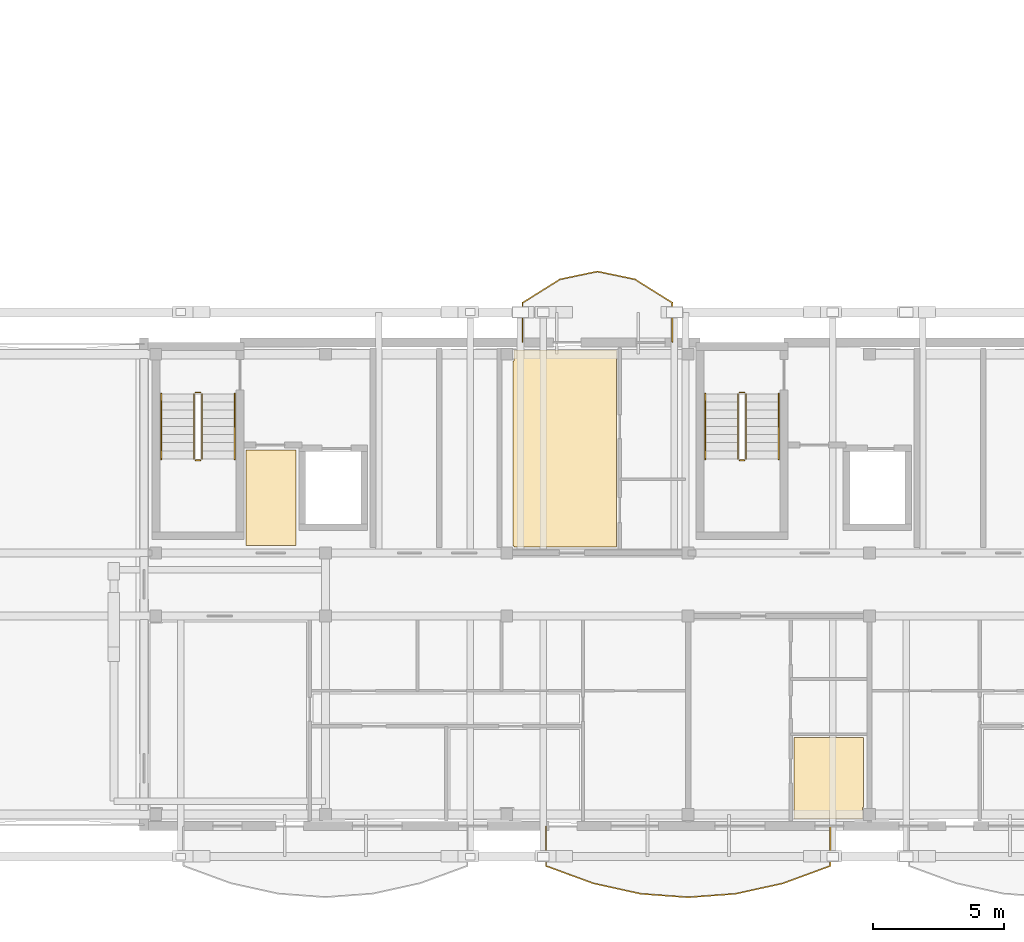
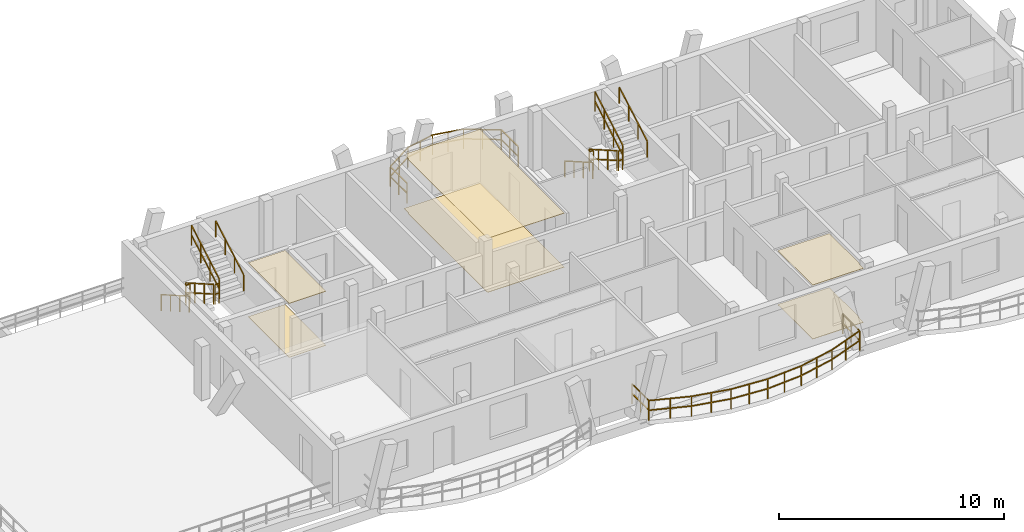
# One storey, part 45 of 48: 14 railings, 6 coverings.
"""IFC4 building model written with IfcOpenShell, lengths in metres."""

import ifcopenshell
import ifcopenshell.guid

model = None  # the IFC model being written
_history = None  # IfcOwnerHistory: only IFC2X3 demands one
_inside = {}  # id of a spatial element -> (the spatial element, [elements in it])
_under = {}  # id of a project, library or spatial element -> (it, [spatial elements below it])
_declared = {}  # id of a project -> (the project, [libraries it declares])
_typed = {}  # id of a type object -> (the type object, [elements of that type])
_made_of = {}  # id of a material, layer set ... -> (it, [elements and type objects made of it])


def new_model(schema):
    """Start an empty IFC model of exactly this schema.

    Asked for "IFC4X3", IfcOpenShell would pick the latest addendum, in which some entities
    have other attributes; the version numbers below select the first issue.
    IFC2X3 requires an IfcOwnerHistory on every rooted entity: one is made here for all.
    """
    global model, _history
    if schema == "IFC4X3":
        model = ifcopenshell.file(schema_version=(4, 3, 0, 0))
    else:
        model = ifcopenshell.file(schema=schema)
    _inside.clear()
    _under.clear()
    _declared.clear()
    _typed.clear()
    _made_of.clear()
    _history = None
    if model.schema == "IFC2X3":
        org = make("IfcOrganization", Name="unknown")
        user = make(
            "IfcPersonAndOrganization",
            ThePerson=make("IfcPerson", FamilyName="unknown"),
            TheOrganization=org,
        )
        app = make(
            "IfcApplication",
            ApplicationDeveloper=org,
            Version="unknown",
            ApplicationFullName="unknown",
            ApplicationIdentifier="unknown",
        )
        _history = make(
            "IfcOwnerHistory",
            OwningUser=user,
            OwningApplication=app,
            ChangeAction="ADDED",
            CreationDate=0,
        )
    return model


def make(cls, **values):
    """One entity of the class cls with the attributes given. An attribute that is None is left unset."""
    return model.create_entity(
        cls, **{name: value for name, value in values.items() if value is not None}
    )


def rooted(cls, **values):
    """An entity with a GlobalId (a new one), such as an element, a storey or a relation."""
    return make(cls, GlobalId=ifcopenshell.guid.new(), OwnerHistory=_history, **values)


def si_unit(unit_type, name, prefix=None):
    """IfcSIUnit, for example si_unit("LENGTHUNIT", "METRE", prefix="MILLI")."""
    return make("IfcSIUnit", UnitType=unit_type, Prefix=prefix, Name=name)


def assignment(units):
    """IfcUnitAssignment: the units of a project."""
    return None if units is None else make("IfcUnitAssignment", Units=units)


def point(xyz):
    """IfcCartesianPoint."""
    return None if xyz is None else make("IfcCartesianPoint", Coordinates=xyz)


def direction(xyz):
    """IfcDirection."""
    return None if xyz is None else make("IfcDirection", DirectionRatios=xyz)


def frame(location, z_axis=None, x_axis=None):
    """IfcAxis2Placement3D, a coordinate frame: its origin and axes. An axis left out is left unset."""
    return make(
        "IfcAxis2Placement3D",
        Location=point(location),
        Axis=direction(z_axis),
        RefDirection=direction(x_axis),
    )


def frame_2d(location, x_axis=None):
    """IfcAxis2Placement2D, a coordinate frame in the plane: its origin and x axis."""
    return make(
        "IfcAxis2Placement2D", Location=point(location), RefDirection=direction(x_axis)
    )


def origin():
    """The frame at (0, 0, 0) with its axes left unset."""
    return frame((0.0, 0.0, 0.0))


def origin_2d():
    """The frame at (0, 0) in the plane with its x axis left unset."""
    return frame_2d((0.0, 0.0))


def place(relative_to, where):
    """IfcLocalPlacement: puts the frame where relative to a parent placement (None: the world)."""
    return make(
        "IfcLocalPlacement", PlacementRelTo=relative_to, RelativePlacement=where
    )


def context(
    kind, dimensions, precision=None, world=None, true_north=None, identifier=None
):
    """IfcGeometricRepresentationContext, for example the 3D "Model" context."""
    return make(
        "IfcGeometricRepresentationContext",
        ContextIdentifier=identifier,
        ContextType=kind,
        CoordinateSpaceDimension=dimensions,
        Precision=precision,
        WorldCoordinateSystem=world,
        TrueNorth=true_north,
    )


def subcontext(parent, identifier, kind, view, scale=None):
    """IfcGeometricRepresentationSubContext, for example "Body" below "Model"."""
    return make(
        "IfcGeometricRepresentationSubContext",
        ContextIdentifier=identifier,
        ContextType=kind,
        ParentContext=parent,
        TargetScale=scale,
        TargetView=view,
    )


def project(units=None, contexts=None):
    """IfcProject with its units and contexts."""
    return rooted(
        "IfcProject",
        Name="project",
        RepresentationContexts=contexts,
        UnitsInContext=assignment(units),
    )


def spatial(cls, under=None, at=None, **own):
    """A site, building, storey or space (cls), placed at a placement, below another one or the project."""
    s = rooted(cls, ObjectPlacement=at, **own)
    if under is not None:
        _under.setdefault(under.id(), (under, []))[1].append(s)
    return s


def polyline(points):
    """IfcPolyline through the points."""
    return make("IfcPolyline", Points=[point(p) for p in points])


def profile(cls, at=None, kind="AREA", **sizes):
    """A parametric profile (cls). Its sizes go by their IFC names, for example OverallWidth=200.0."""
    return make(cls, ProfileType=kind, Position=at, **sizes)


def rectangle(**sizes):
    """IfcRectangleProfileDef."""
    return profile("IfcRectangleProfileDef", **sizes)


def outline(outer, holes=None, kind="AREA"):
    """IfcArbitraryClosedProfileDef: a profile drawn as a closed curve; with holes, ...WithVoids."""
    if holes is None:
        return make("IfcArbitraryClosedProfileDef", ProfileType=kind, OuterCurve=outer)
    return make(
        "IfcArbitraryProfileDefWithVoids",
        ProfileType=kind,
        OuterCurve=outer,
        InnerCurves=holes,
    )


def extrude(swept, where, along, depth):
    """IfcExtrudedAreaSolid: the profile swept, set in the frame where, extruded along a direction by depth."""
    return make(
        "IfcExtrudedAreaSolid",
        SweptArea=swept,
        Position=where,
        ExtrudedDirection=direction(along),
        Depth=depth,
    )


def shape(context_of_items, identifier, shape_type, items):
    """IfcShapeRepresentation: the items that make up one representation, for example the "Body"."""
    return make(
        "IfcShapeRepresentation",
        ContextOfItems=context_of_items,
        RepresentationIdentifier=identifier,
        RepresentationType=shape_type,
        Items=items,
    )


def material(Name=None, Category=None):
    """IfcMaterial."""
    return make("IfcMaterial", Name=Name, Category=Category)


def layer(
    of_material, thickness, ventilated=None, Name=None, Category=None, Priority=None
):
    """IfcMaterialLayer: one layer of a wall or slab, of a material (None: an air gap)."""
    return make(
        "IfcMaterialLayer",
        Material=of_material,
        LayerThickness=thickness,
        IsVentilated=ventilated,
        Name=Name,
        Category=Category,
        Priority=Priority,
    )


def layer_set(layers, Name=None):
    """IfcMaterialLayerSet."""
    return make("IfcMaterialLayerSet", MaterialLayers=layers, LayerSetName=Name)


def made_of(thing, what):
    """Note that an element or type object is made of a material, layer set ...; save() writes the relation."""
    if what is not None:
        _made_of.setdefault(what.id(), (what, []))[1].append(thing)
    return thing


def type_object(cls, material=None, **own):
    """A type object (cls), such as IfcWallType, which elements share."""
    return made_of(rooted(cls, **own), material)


def element(
    cls,
    number,
    at=None,
    inside=None,
    cuts=None,
    type_object=None,
    material=None,
    context=None,
    identifier="Body",
    shape_type=None,
    held_by="IfcProductDefinitionShape",
    body=None,
    shapes=None,
    **own,
):
    """One element of the class cls, such as IfcWall. Its Tag is "e" and its number.

    at: its placement. inside: the storey or other place that contains it. cuts: it is an
    opening in that element (IfcRelVoidsElement). A single representation is given by context,
    identifier, shape_type and body (its items); several are given by shapes. held_by: the class
    of the entity that holds the representations. save() writes the other relations.
    """
    e = rooted(cls, Tag="e%d" % number, ObjectPlacement=at, **own)
    if body is not None:
        shapes = [shape(context, identifier, shape_type, body)]
    if shapes is not None:
        e.Representation = make(held_by, Representations=shapes)
    if inside is not None:
        _inside.setdefault(inside.id(), (inside, []))[1].append(e)
    if cuts is not None:
        rooted(
            "IfcRelVoidsElement", RelatingBuildingElement=cuts, RelatedOpeningElement=e
        )
    if type_object is not None:
        _typed.setdefault(type_object.id(), (type_object, []))[1].append(e)
    return made_of(e, material)


def aggregate(whole, parts):
    """IfcRelAggregates: a whole, such as a stair, and the parts it consists of."""
    return rooted("IfcRelAggregates", RelatingObject=whole, RelatedObjects=parts)


def save(model, path):
    """Write the relations noted so far, then the file.

    IfcRelAggregates (storeys below a building ...), IfcRelContainedInSpatialStructure (elements
    in a storey), IfcRelDefinesByType, IfcRelAssociatesMaterial and IfcRelDeclares: one each for
    every whole, place, type object, material and project.
    """
    for whole, parts in _under.values():
        aggregate(whole, parts)
    for where, things in _inside.values():
        rooted(
            "IfcRelContainedInSpatialStructure",
            RelatedElements=things,
            RelatingStructure=where,
        )
    for kind, things in _typed.values():
        rooted("IfcRelDefinesByType", RelatedObjects=things, RelatingType=kind)
    for what, things in _made_of.values():
        rooted("IfcRelAssociatesMaterial", RelatedObjects=things, RelatingMaterial=what)
    for by, libraries in _declared.values():
        rooted("IfcRelDeclares", RelatingContext=by, RelatedDefinitions=libraries)
    model.write(path)


model = new_model("IFC4")

# Units and contexts
model_context = context("Model", 3, precision=1e-05, world=origin(), true_north=direction((0.0, 1.0)))
body_context = subcontext(model_context, "Body", "Model", "MODEL_VIEW")
ifc_project = project(units=[si_unit("LENGTHUNIT", "METRE"), si_unit("AREAUNIT", "SQUARE_METRE"), si_unit("VOLUMEUNIT", "CUBIC_METRE"), si_unit("PLANEANGLEUNIT", "RADIAN"), si_unit("MASSUNIT", "GRAM", prefix="KILO")], contexts=[model_context])

# Site, building, storey
site_placement = place(None, origin())
site = spatial("IfcSite", under=ifc_project, at=site_placement, CompositionType="ELEMENT")
building_placement = place(site_placement, origin())
building = spatial("IfcBuilding", under=site, at=building_placement, Name="Zavelmont Quarter", CompositionType="ELEMENT")
storey_placement = place(building_placement, frame((0.0, 0.0, 17.60009765625)))
storey = spatial("IfcBuildingStorey", under=building, at=storey_placement, Name="L05", CompositionType="ELEMENT", Elevation=17.60009765625)

# Coverings
ifc_material_1 = material(Name="Perforated acoustic gypsum board")
ifc_layer_1 = layer(ifc_material_1, 0.02490234375)
ifc_layer_set_1 = layer_set([ifc_layer_1], Name="Perforated acoustic gypsum board")
covering_type_1 = type_object("IfcCoveringType", Name="CV-CL01", PredefinedType="CEILING", material=ifc_layer_set_1)
covering_1_placement = place(storey_placement, frame((0.0, 0.0, 2.9248046875)))
element("IfcCovering", 1, at=covering_1_placement, inside=storey, type_object=covering_type_1, Name="L05 Lobby Vestibule acoustic ceiling", PredefinedType="CEILING", context=body_context, shape_type="SweptSolid", body=[
    extrude(outline(polyline([(130.47998046875, 14.320068359375), (132.3701171875, 14.320068359375), (132.3701171875, 10.679931640625), (130.47998046875, 10.679931640625), (130.47998046875, 14.320068359375)])), origin(), (0.0, 0.0, 1.0), 0.025146484375),
])
covering_2_placement = place(storey_placement, frame((0.0, 0.0, 2.9248046875)))
element("IfcCovering", 2, at=covering_2_placement, inside=storey, type_object=covering_type_1, Name="L05 Single Bedroom acoustic ceiling", PredefinedType="CEILING", context=body_context, shape_type="SweptSolid", body=[
    extrude(outline(polyline([(151.330078125, 3.3701171875), (153.969970703125, 3.3701171875), (153.969970703125, 0.705078125), (153.93505859375, 0.705078125), (153.93505859375, 0.280029296875), (151.330078125, 0.280029296875), (151.330078125, 3.3701171875)])), origin(), (0.0, 0.0, 1.0), 0.025146484375),
])
covering_3_placement = place(storey_placement, frame((0.0, 0.0, 2.9248046875)))
element("IfcCovering", 3, at=covering_3_placement, inside=storey, type_object=covering_type_1, Name="L05 Residents Study Lounge acoustic ceiling", PredefinedType="CEILING", context=body_context, shape_type="SweptSolid", body=[
    extrude(outline(polyline([(140.6298828125, 17.695068359375), (140.6650390625, 17.695068359375), (140.6650390625, 18.1201171875), (144.570068359375, 18.1201171875), (144.570068359375, 10.6298828125), (140.6650390625, 10.6298828125), (140.6650390625, 10.6650390625), (140.6298828125, 10.6650390625), (140.6298828125, 17.695068359375)])), origin(), (0.0, 0.0, 1.0), 0.025146484375),
])
ifc_material_2 = material(Name="Engineered European oak parquet")
ifc_layer_2 = layer(ifc_material_2, 0.02197265625)
ifc_layer_set_2 = layer_set([ifc_layer_2], Name="Engineered European oak parquet")
covering_type_2 = type_object("IfcCoveringType", Name="CV-FL01", PredefinedType="FLOORING", material=ifc_layer_set_2)
covering_4_placement = place(storey_placement, origin())
element("IfcCovering", 4, at=covering_4_placement, inside=storey, type_object=covering_type_2, Name="L05 Lobby Vestibule floor finish", PredefinedType="FLOORING", context=body_context, shape_type="SweptSolid", body=[
    extrude(outline(polyline([(130.47998046875, 14.320068359375), (132.3701171875, 14.320068359375), (132.3701171875, 10.679931640625), (130.47998046875, 10.679931640625), (130.47998046875, 14.320068359375)])), origin(), (0.0, 0.0, 1.0), 0.02197265625),
])
covering_5_placement = place(storey_placement, origin())
element("IfcCovering", 5, at=covering_5_placement, inside=storey, type_object=covering_type_2, Name="L05 Single Bedroom floor finish", PredefinedType="FLOORING", context=body_context, shape_type="SweptSolid", body=[
    extrude(outline(polyline([(151.330078125, 3.3701171875), (153.969970703125, 3.3701171875), (153.969970703125, 0.705078125), (153.93505859375, 0.705078125), (153.93505859375, 0.280029296875), (151.330078125, 0.280029296875), (151.330078125, 3.3701171875)])), origin(), (0.0, 0.0, 1.0), 0.02197265625),
])
covering_6_placement = place(storey_placement, origin())
element("IfcCovering", 6, at=covering_6_placement, inside=storey, type_object=covering_type_2, Name="L05 Residents Study Lounge floor finish", PredefinedType="FLOORING", context=body_context, shape_type="SweptSolid", body=[
    extrude(outline(polyline([(140.6298828125, 17.695068359375), (140.6650390625, 17.695068359375), (140.6650390625, 18.1201171875), (144.570068359375, 18.1201171875), (144.570068359375, 10.6298828125), (140.6650390625, 10.6298828125), (140.6650390625, 10.6650390625), (140.6298828125, 10.6650390625), (140.6298828125, 17.695068359375)])), origin(), (0.0, 0.0, 1.0), 0.02197265625),
])

# Railings
ifc_material_3 = material(Name="Powder-coated steel and tempered double safety glass", Category="steel")
railing_type_1 = type_object("IfcRailingType", Name="RL-BAL1", PredefinedType="BALUSTRADE", material=ifc_material_3)
railing_1_placement = place(storey_placement, frame((141.89306640625, -0.02001953125, 0.0)))
element("IfcRailing", 7, at=railing_1_placement, inside=storey, type_object=railing_type_1, Name="L05 Block D curved balcony guard RL-BAL1", PredefinedType="BALUSTRADE", context=body_context, shape_type="SweptSolid", body=[
    extrude(rectangle(XDim=0.048095703125, YDim=0.048095703125, at=origin_2d()), frame((0.0, 0.0, 1.076171875), z_axis=(0.0, -1.0, 0.0), x_axis=(1.0, 0.0, 0.0)), (0.0, 0.0, 1.0), 1.495849609375),
    extrude(rectangle(XDim=0.048095703125, YDim=0.048095703125, at=origin_2d()), frame((0.0, 0.0, 0.550048828125), z_axis=(0.0, -1.0, 0.0), x_axis=(1.0, 0.0, 0.0)), (0.0, 0.0, 1.0), 1.495849609375),
    extrude(rectangle(XDim=0.048095703125, YDim=0.048095703125, at=origin_2d()), frame((0.0, -1.495849609375, 1.076171875), z_axis=(0.938741978736, -0.344620802272, 0.0), x_axis=(0.344620802272, 0.938741978736, 0.0)), (0.0, 0.0, 1.0), 1.919921875),
    extrude(rectangle(XDim=0.048095703125, YDim=0.048095703125, at=origin_2d()), frame((0.0, -1.495849609375, 0.550048828125), z_axis=(0.938741978736, -0.344620802272, 0.0), x_axis=(0.344620802272, 0.938741978736, 0.0)), (0.0, 0.0, 1.0), 1.919921875),
    extrude(rectangle(XDim=0.048095703125, YDim=0.048095703125, at=origin_2d()), frame((1.80224609375, -2.157470703125, 1.076171875), z_axis=(0.976568352583, -0.215207464398, 0.0), x_axis=(0.215207464398, 0.976568352583, 0.0)), (0.0, 0.0, 1.0), 1.845703125),
    extrude(rectangle(XDim=0.048095703125, YDim=0.048095703125, at=origin_2d()), frame((1.80224609375, -2.157470703125, 0.550048828125), z_axis=(0.976568352583, -0.215207464398, 0.0), x_axis=(0.215207464398, 0.976568352583, 0.0)), (0.0, 0.0, 1.0), 1.845703125),
    extrude(rectangle(XDim=0.048095703125, YDim=0.048095703125, at=origin_2d()), frame((3.604736328125, -2.5546875, 1.076171875), z_axis=(0.997315465842, -0.073224733471, 0.0), x_axis=(0.073224733471, 0.997315465842, 0.0)), (0.0, 0.0, 1.0), 1.80712890625),
    extrude(rectangle(XDim=0.048095703125, YDim=0.048095703125, at=origin_2d()), frame((3.604736328125, -2.5546875, 0.550048828125), z_axis=(0.997315465842, -0.073224733471, 0.0), x_axis=(0.073224733471, 0.997315465842, 0.0)), (0.0, 0.0, 1.0), 1.80712890625),
    extrude(rectangle(XDim=0.048095703125, YDim=0.048095703125, at=origin_2d()), frame((5.406982421875, -2.68701171875, 1.076171875), z_axis=(0.997315465842, 0.073224733471, 0.0), x_axis=(-0.073224733471, 0.997315465842, 0.0)), (0.0, 0.0, 1.0), 1.80712890625),
    extrude(rectangle(XDim=0.048095703125, YDim=0.048095703125, at=origin_2d()), frame((5.406982421875, -2.68701171875, 0.550048828125), z_axis=(0.997315465842, 0.073224733471, 0.0), x_axis=(-0.073224733471, 0.997315465842, 0.0)), (0.0, 0.0, 1.0), 1.80712890625),
    extrude(rectangle(XDim=0.048095703125, YDim=0.048095703125, at=origin_2d()), frame((7.209228515625, -2.5546875, 1.076171875), z_axis=(0.976568352583, 0.215207464398, 0.0), x_axis=(-0.215207464398, 0.976568352583, 0.0)), (0.0, 0.0, 1.0), 1.845703125),
    extrude(rectangle(XDim=0.048095703125, YDim=0.048095703125, at=origin_2d()), frame((7.209228515625, -2.5546875, 0.550048828125), z_axis=(0.976568352583, 0.215207464398, 0.0), x_axis=(-0.215207464398, 0.976568352583, 0.0)), (0.0, 0.0, 1.0), 1.845703125),
    extrude(rectangle(XDim=0.048095703125, YDim=0.048095703125, at=origin_2d()), frame((9.01171875, -2.157470703125, 1.076171875), z_axis=(0.938741978736, 0.344620802272, 0.0), x_axis=(-0.344620802272, 0.938741978736, 0.0)), (0.0, 0.0, 1.0), 1.919921875),
    extrude(rectangle(XDim=0.048095703125, YDim=0.048095703125, at=origin_2d()), frame((9.01171875, -2.157470703125, 0.550048828125), z_axis=(0.938741978736, 0.344620802272, 0.0), x_axis=(-0.344620802272, 0.938741978736, 0.0)), (0.0, 0.0, 1.0), 1.919921875),
    extrude(rectangle(XDim=0.048095703125, YDim=0.048095703125, at=origin_2d()), frame((10.81396484375, -1.495849609375, 1.076171875), z_axis=(0.0, 1.0, 0.0), x_axis=(-1.0, 0.0, 0.0)), (0.0, 0.0, 1.0), 1.495849609375),
    extrude(rectangle(XDim=0.048095703125, YDim=0.048095703125, at=origin_2d()), frame((10.81396484375, -1.495849609375, 0.550048828125), z_axis=(0.0, 1.0, 0.0), x_axis=(-1.0, 0.0, 0.0)), (0.0, 0.0, 1.0), 1.495849609375),
    extrude(rectangle(XDim=0.0419921875, YDim=0.0419921875, at=origin_2d()), origin(), (0.0, 0.0, 1.0), 1.052001953125),
    extrude(rectangle(XDim=0.0419921875, YDim=0.0419921875, at=origin_2d()), frame((0.0, -0.748046875, 0.0)), (0.0, 0.0, 1.0), 1.052001953125),
    extrude(rectangle(XDim=0.0419921875, YDim=0.0419921875, at=origin_2d()), frame((0.0, -1.495849609375, 0.0)), (0.0, 0.0, 1.0), 1.052001953125),
    extrude(rectangle(XDim=0.0419921875, YDim=0.0419921875, at=origin_2d()), frame((0.901123046875, -1.82666015625, 0.0)), (0.0, 0.0, 1.0), 1.052001953125),
    extrude(rectangle(XDim=0.0419921875, YDim=0.0419921875, at=origin_2d()), frame((1.80224609375, -2.157470703125, 0.0)), (0.0, 0.0, 1.0), 1.052001953125),
    extrude(rectangle(XDim=0.0419921875, YDim=0.0419921875, at=origin_2d()), frame((2.70361328125, -2.35595703125, 0.0)), (0.0, 0.0, 1.0), 1.052001953125),
    extrude(rectangle(XDim=0.0419921875, YDim=0.0419921875, at=origin_2d()), frame((3.604736328125, -2.5546875, 0.0)), (0.0, 0.0, 1.0), 1.052001953125),
    extrude(rectangle(XDim=0.0419921875, YDim=0.0419921875, at=origin_2d()), frame((4.505859375, -2.620849609375, 0.0)), (0.0, 0.0, 1.0), 1.052001953125),
    extrude(rectangle(XDim=0.0419921875, YDim=0.0419921875, at=origin_2d()), frame((5.406982421875, -2.68701171875, 0.0)), (0.0, 0.0, 1.0), 1.052001953125),
    extrude(rectangle(XDim=0.0419921875, YDim=0.0419921875, at=origin_2d()), frame((6.30810546875, -2.620849609375, 0.0)), (0.0, 0.0, 1.0), 1.052001953125),
    extrude(rectangle(XDim=0.0419921875, YDim=0.0419921875, at=origin_2d()), frame((7.209228515625, -2.5546875, 0.0)), (0.0, 0.0, 1.0), 1.052001953125),
    extrude(rectangle(XDim=0.0419921875, YDim=0.0419921875, at=origin_2d()), frame((8.1103515625, -2.35595703125, 0.0)), (0.0, 0.0, 1.0), 1.052001953125),
    extrude(rectangle(XDim=0.0419921875, YDim=0.0419921875, at=origin_2d()), frame((9.01171875, -2.157470703125, 0.0)), (0.0, 0.0, 1.0), 1.052001953125),
    extrude(rectangle(XDim=0.0419921875, YDim=0.0419921875, at=origin_2d()), frame((9.912841796875, -1.82666015625, 0.0)), (0.0, 0.0, 1.0), 1.052001953125),
    extrude(rectangle(XDim=0.0419921875, YDim=0.0419921875, at=origin_2d()), frame((10.81396484375, -1.495849609375, 0.0)), (0.0, 0.0, 1.0), 1.052001953125),
    extrude(rectangle(XDim=0.0419921875, YDim=0.0419921875, at=origin_2d()), frame((10.81396484375, -0.748046875, 0.0)), (0.0, 0.0, 1.0), 1.052001953125),
    extrude(rectangle(XDim=0.0419921875, YDim=0.0419921875, at=origin_2d()), frame((10.81396484375, 0.0, 0.0)), (0.0, 0.0, 1.0), 1.052001953125),
])
railing_2_placement = place(storey_placement, frame((146.699951171875, 18.419921875, 0.0)))
element("IfcRailing", 8, at=railing_2_placement, inside=storey, type_object=railing_type_1, Name="L05 Block D curved balcony guard RL-BAL1", PredefinedType="BALUSTRADE", context=body_context, shape_type="SweptSolid", body=[
    extrude(rectangle(XDim=0.048095703125, YDim=0.048095703125, at=origin_2d()), frame((0.0, 0.0, 1.076171875), z_axis=(0.0, 1.0, 0.0), x_axis=(-1.0, 0.0, 0.0)), (0.0, 0.0, 1.0), 1.49609375),
    extrude(rectangle(XDim=0.048095703125, YDim=0.048095703125, at=origin_2d()), frame((0.0, 0.0, 0.550048828125), z_axis=(0.0, 1.0, 0.0), x_axis=(-1.0, 0.0, 0.0)), (0.0, 0.0, 1.0), 1.49609375),
    extrude(rectangle(XDim=0.048095703125, YDim=0.048095703125, at=origin_2d()), frame((0.0, 1.49609375, 1.076171875), z_axis=(-0.847353386569, 0.531029413752, 0.0), x_axis=(-0.531029413752, -0.847353386569, 0.0)), (0.0, 0.0, 1.0), 1.681884765625),
    extrude(rectangle(XDim=0.048095703125, YDim=0.048095703125, at=origin_2d()), frame((0.0, 1.49609375, 0.550048828125), z_axis=(-0.847353386569, 0.531029413752, 0.0), x_axis=(-0.531029413752, -0.847353386569, 0.0)), (0.0, 0.0, 1.0), 1.681884765625),
    extrude(rectangle(XDim=0.048095703125, YDim=0.048095703125, at=origin_2d()), frame((-1.425048828125, 2.38916015625, 1.076171875), z_axis=(-0.978840652697, 0.204623988398, 0.0), x_axis=(-0.204623988398, -0.978840652697, 0.0)), (0.0, 0.0, 1.0), 1.45556640625),
    extrude(rectangle(XDim=0.048095703125, YDim=0.048095703125, at=origin_2d()), frame((-1.425048828125, 2.38916015625, 0.550048828125), z_axis=(-0.978840652697, 0.204623988398, 0.0), x_axis=(-0.204623988398, -0.978840652697, 0.0)), (0.0, 0.0, 1.0), 1.45556640625),
    extrude(rectangle(XDim=0.048095703125, YDim=0.048095703125, at=origin_2d()), frame((-2.849853515625, 2.68701171875, 1.076171875), z_axis=(-0.97884767376, -0.204590399518, 0.0), x_axis=(0.204590399518, -0.97884767376, 0.0)), (0.0, 0.0, 1.0), 1.455810546875),
    extrude(rectangle(XDim=0.048095703125, YDim=0.048095703125, at=origin_2d()), frame((-2.849853515625, 2.68701171875, 0.550048828125), z_axis=(-0.97884767376, -0.204590399518, 0.0), x_axis=(0.204590399518, -0.97884767376, 0.0)), (0.0, 0.0, 1.0), 1.455810546875),
    extrude(rectangle(XDim=0.048095703125, YDim=0.048095703125, at=origin_2d()), frame((-4.27490234375, 2.38916015625, 1.076171875), z_axis=(-0.847353386569, -0.531029413752, 0.0), x_axis=(0.531029413752, -0.847353386569, 0.0)), (0.0, 0.0, 1.0), 1.681884765625),
    extrude(rectangle(XDim=0.048095703125, YDim=0.048095703125, at=origin_2d()), frame((-4.27490234375, 2.38916015625, 0.550048828125), z_axis=(-0.847353386569, -0.531029413752, 0.0), x_axis=(0.531029413752, -0.847353386569, 0.0)), (0.0, 0.0, 1.0), 1.681884765625),
    extrude(rectangle(XDim=0.048095703125, YDim=0.048095703125, at=origin_2d()), frame((-5.699951171875, 1.49609375, 1.076171875), z_axis=(0.0, -1.0, 0.0), x_axis=(1.0, 0.0, 0.0)), (0.0, 0.0, 1.0), 1.49609375),
    extrude(rectangle(XDim=0.048095703125, YDim=0.048095703125, at=origin_2d()), frame((-5.699951171875, 1.49609375, 0.550048828125), z_axis=(0.0, -1.0, 0.0), x_axis=(1.0, 0.0, 0.0)), (0.0, 0.0, 1.0), 1.49609375),
    extrude(rectangle(XDim=0.0419921875, YDim=0.0419921875, at=origin_2d()), origin(), (0.0, 0.0, 1.0), 1.052001953125),
    extrude(rectangle(XDim=0.0419921875, YDim=0.0419921875, at=origin_2d()), frame((0.0, 0.748046875, 0.0)), (0.0, 0.0, 1.0), 1.052001953125),
    extrude(rectangle(XDim=0.0419921875, YDim=0.0419921875, at=origin_2d()), frame((0.0, 1.49609375, 0.0)), (0.0, 0.0, 1.0), 1.052001953125),
    extrude(rectangle(XDim=0.0419921875, YDim=0.0419921875, at=origin_2d()), frame((-0.71240234375, 1.942626953125, 0.0)), (0.0, 0.0, 1.0), 1.052001953125),
    extrude(rectangle(XDim=0.0419921875, YDim=0.0419921875, at=origin_2d()), frame((-1.425048828125, 2.38916015625, 0.0)), (0.0, 0.0, 1.0), 1.052001953125),
    extrude(rectangle(XDim=0.0419921875, YDim=0.0419921875, at=origin_2d()), frame((-2.137451171875, 2.5380859375, 0.0)), (0.0, 0.0, 1.0), 1.052001953125),
    extrude(rectangle(XDim=0.0419921875, YDim=0.0419921875, at=origin_2d()), frame((-2.849853515625, 2.68701171875, 0.0)), (0.0, 0.0, 1.0), 1.052001953125),
    extrude(rectangle(XDim=0.0419921875, YDim=0.0419921875, at=origin_2d()), frame((-3.5625, 2.5380859375, 0.0)), (0.0, 0.0, 1.0), 1.052001953125),
    extrude(rectangle(XDim=0.0419921875, YDim=0.0419921875, at=origin_2d()), frame((-4.27490234375, 2.38916015625, 0.0)), (0.0, 0.0, 1.0), 1.052001953125),
    extrude(rectangle(XDim=0.0419921875, YDim=0.0419921875, at=origin_2d()), frame((-4.9873046875, 1.942626953125, 0.0)), (0.0, 0.0, 1.0), 1.052001953125),
    extrude(rectangle(XDim=0.0419921875, YDim=0.0419921875, at=origin_2d()), frame((-5.699951171875, 1.49609375, 0.0)), (0.0, 0.0, 1.0), 1.052001953125),
    extrude(rectangle(XDim=0.0419921875, YDim=0.0419921875, at=origin_2d()), frame((-5.699951171875, 0.748046875, 0.0)), (0.0, 0.0, 1.0), 1.052001953125),
    extrude(rectangle(XDim=0.0419921875, YDim=0.0419921875, at=origin_2d()), frame((-5.699951171875, 0.0, 0.0)), (0.0, 0.0, 1.0), 1.052001953125),
])
ifc_material_4 = material(Name="Powder-coated steel stair guardrail", Category="steel")
railing_type_2 = type_object("IfcRailingType", Name="RL-GRD1", PredefinedType="GUARDRAIL", material=ifc_material_4)
railing_3_placement = place(storey_placement, frame((128.5, 16.449951171875, 0.177734375)))
element("IfcRailing", 9, at=railing_3_placement, inside=storey, type_object=railing_type_2, Name="L05 ST07 stair guardrail 1", PredefinedType="GUARDRAIL", context=body_context, shape_type="SweptSolid", body=[
    extrude(rectangle(XDim=0.048095703125, YDim=0.048095703125, at=origin_2d()), frame((0.0, 0.0, 1.076171875), z_axis=(0.0, -0.867490628297, 0.497453525283), x_axis=(1.0, 0.0, 0.0)), (0.0, 0.0, 1.0), 2.85888671875),
    extrude(rectangle(XDim=0.048095703125, YDim=0.048095703125, at=origin_2d()), frame((0.0, 0.0, 0.550048828125), z_axis=(0.0, -0.867490628297, 0.497453525283), x_axis=(1.0, 0.0, 0.0)), (0.0, 0.0, 1.0), 2.85888671875),
    extrude(rectangle(XDim=0.0419921875, YDim=0.0419921875, at=origin_2d()), origin(), (0.0, 0.0, 1.0), 1.052001953125),
    extrude(rectangle(XDim=0.0419921875, YDim=0.0419921875, at=origin_2d()), frame((0.0, -0.82666015625, 0.47412109375)), (0.0, 0.0, 1.0), 1.052001953125),
    extrude(rectangle(XDim=0.0419921875, YDim=0.0419921875, at=origin_2d()), frame((0.0, -1.6533203125, 0.947998046875)), (0.0, 0.0, 1.0), 1.052001953125),
    extrude(rectangle(XDim=0.0419921875, YDim=0.0419921875, at=origin_2d()), frame((0.0, -2.47998046875, 1.422119140625)), (0.0, 0.0, 1.0), 1.052001953125),
])
railing_4_placement = place(storey_placement, frame((128.550048828125, 13.919921875, 1.599853515625)))
element("IfcRailing", 10, at=railing_4_placement, inside=storey, type_object=railing_type_2, Name="L05 ST07 stair guardrail 2", PredefinedType="GUARDRAIL", context=body_context, shape_type="SweptSolid", body=[
    extrude(rectangle(XDim=0.048095703125, YDim=0.048095703125, at=origin_2d()), frame((0.0, 0.0, 1.076171875), z_axis=(1.0, 0.0, 0.0), x_axis=(0.0, 1.0, 0.0)), (0.0, 0.0, 1.0), 0.199951171875),
    extrude(rectangle(XDim=0.048095703125, YDim=0.048095703125, at=origin_2d()), frame((0.0, 0.0, 0.550048828125), z_axis=(1.0, 0.0, 0.0), x_axis=(0.0, 1.0, 0.0)), (0.0, 0.0, 1.0), 0.199951171875),
    extrude(rectangle(XDim=0.0419921875, YDim=0.0419921875, at=origin_2d()), origin(), (0.0, 0.0, 1.0), 1.052001953125),
    extrude(rectangle(XDim=0.0419921875, YDim=0.0419921875, at=origin_2d()), frame((0.199951171875, 0.0, 0.0)), (0.0, 0.0, 1.0), 1.052001953125),
])
railing_5_placement = place(storey_placement, frame((128.800048828125, 13.969970703125, 1.777587890625)))
element("IfcRailing", 11, at=railing_5_placement, inside=storey, type_object=railing_type_2, Name="L05 ST07 stair guardrail 3", PredefinedType="GUARDRAIL", context=body_context, shape_type="SweptSolid", body=[
    extrude(rectangle(XDim=0.048095703125, YDim=0.048095703125, at=origin_2d()), frame((0.0, 0.0, 1.076171875), z_axis=(0.0, 0.867453774394, 0.497517787913), x_axis=(-1.0, 0.0, 0.0)), (0.0, 0.0, 1.0), 2.85888671875),
    extrude(rectangle(XDim=0.048095703125, YDim=0.048095703125, at=origin_2d()), frame((0.0, 0.0, 0.550048828125), z_axis=(0.0, 0.867453774394, 0.497517787913), x_axis=(-1.0, 0.0, 0.0)), (0.0, 0.0, 1.0), 2.85888671875),
    extrude(rectangle(XDim=0.0419921875, YDim=0.0419921875, at=origin_2d()), origin(), (0.0, 0.0, 1.0), 1.052001953125),
    extrude(rectangle(XDim=0.0419921875, YDim=0.0419921875, at=origin_2d()), frame((0.0, 0.82666015625, 0.47412109375)), (0.0, 0.0, 1.0), 1.052001953125),
    extrude(rectangle(XDim=0.0419921875, YDim=0.0419921875, at=origin_2d()), frame((0.0, 1.6533203125, 0.9482421875)), (0.0, 0.0, 1.0), 1.052001953125),
    extrude(rectangle(XDim=0.0419921875, YDim=0.0419921875, at=origin_2d()), frame((0.0, 2.47998046875, 1.42236328125)), (0.0, 0.0, 1.0), 1.052001953125),
])
railing_6_placement = place(storey_placement, frame((128.550048828125, 16.5, 0.0)))
element("IfcRailing", 12, at=railing_6_placement, inside=storey, type_object=railing_type_2, Name="L05 ST07 stair guardrail 4", PredefinedType="GUARDRAIL", context=body_context, shape_type="SweptSolid", body=[
    extrude(rectangle(XDim=0.048095703125, YDim=0.048095703125, at=origin_2d()), frame((0.0, 0.0, 1.076171875), z_axis=(1.0, 0.0, 0.0), x_axis=(0.0, 1.0, 0.0)), (0.0, 0.0, 1.0), 0.199951171875),
    extrude(rectangle(XDim=0.048095703125, YDim=0.048095703125, at=origin_2d()), frame((0.0, 0.0, 0.550048828125), z_axis=(1.0, 0.0, 0.0), x_axis=(0.0, 1.0, 0.0)), (0.0, 0.0, 1.0), 0.199951171875),
    extrude(rectangle(XDim=0.0419921875, YDim=0.0419921875, at=origin_2d()), origin(), (0.0, 0.0, 1.0), 1.052001953125),
    extrude(rectangle(XDim=0.0419921875, YDim=0.0419921875, at=origin_2d()), frame((0.199951171875, 0.0, 0.0)), (0.0, 0.0, 1.0), 1.052001953125),
])
railing_7_placement = place(storey_placement, frame((149.199951171875, 16.449951171875, 0.177734375)))
element("IfcRailing", 13, at=railing_7_placement, inside=storey, type_object=railing_type_2, Name="L05 ST08 stair guardrail 1", PredefinedType="GUARDRAIL", context=body_context, shape_type="SweptSolid", body=[
    extrude(rectangle(XDim=0.048095703125, YDim=0.048095703125, at=origin_2d()), frame((0.0, 0.0, 1.076171875), z_axis=(0.0, -0.867490628297, 0.497453525283), x_axis=(1.0, 0.0, 0.0)), (0.0, 0.0, 1.0), 2.85888671875),
    extrude(rectangle(XDim=0.048095703125, YDim=0.048095703125, at=origin_2d()), frame((0.0, 0.0, 0.550048828125), z_axis=(0.0, -0.867490628297, 0.497453525283), x_axis=(1.0, 0.0, 0.0)), (0.0, 0.0, 1.0), 2.85888671875),
    extrude(rectangle(XDim=0.0419921875, YDim=0.0419921875, at=origin_2d()), origin(), (0.0, 0.0, 1.0), 1.052001953125),
    extrude(rectangle(XDim=0.0419921875, YDim=0.0419921875, at=origin_2d()), frame((0.0, -0.82666015625, 0.47412109375)), (0.0, 0.0, 1.0), 1.052001953125),
    extrude(rectangle(XDim=0.0419921875, YDim=0.0419921875, at=origin_2d()), frame((0.0, -1.6533203125, 0.947998046875)), (0.0, 0.0, 1.0), 1.052001953125),
    extrude(rectangle(XDim=0.0419921875, YDim=0.0419921875, at=origin_2d()), frame((0.0, -2.47998046875, 1.422119140625)), (0.0, 0.0, 1.0), 1.052001953125),
])
railing_8_placement = place(storey_placement, frame((149.25, 13.919921875, 1.599853515625)))
element("IfcRailing", 14, at=railing_8_placement, inside=storey, type_object=railing_type_2, Name="L05 ST08 stair guardrail 2", PredefinedType="GUARDRAIL", context=body_context, shape_type="SweptSolid", body=[
    extrude(rectangle(XDim=0.048095703125, YDim=0.048095703125, at=origin_2d()), frame((0.0, 0.0, 1.076171875), z_axis=(1.0, 0.0, 0.0), x_axis=(0.0, 1.0, 0.0)), (0.0, 0.0, 1.0), 0.199951171875),
    extrude(rectangle(XDim=0.048095703125, YDim=0.048095703125, at=origin_2d()), frame((0.0, 0.0, 0.550048828125), z_axis=(1.0, 0.0, 0.0), x_axis=(0.0, 1.0, 0.0)), (0.0, 0.0, 1.0), 0.199951171875),
    extrude(rectangle(XDim=0.0419921875, YDim=0.0419921875, at=origin_2d()), origin(), (0.0, 0.0, 1.0), 1.052001953125),
    extrude(rectangle(XDim=0.0419921875, YDim=0.0419921875, at=origin_2d()), frame((0.199951171875, 0.0, 0.0)), (0.0, 0.0, 1.0), 1.052001953125),
])
railing_9_placement = place(storey_placement, frame((149.5, 13.969970703125, 1.777587890625)))
element("IfcRailing", 15, at=railing_9_placement, inside=storey, type_object=railing_type_2, Name="L05 ST08 stair guardrail 3", PredefinedType="GUARDRAIL", context=body_context, shape_type="SweptSolid", body=[
    extrude(rectangle(XDim=0.048095703125, YDim=0.048095703125, at=origin_2d()), frame((0.0, 0.0, 1.076171875), z_axis=(0.0, 0.867453774394, 0.497517787913), x_axis=(-1.0, 0.0, 0.0)), (0.0, 0.0, 1.0), 2.85888671875),
    extrude(rectangle(XDim=0.048095703125, YDim=0.048095703125, at=origin_2d()), frame((0.0, 0.0, 0.550048828125), z_axis=(0.0, 0.867453774394, 0.497517787913), x_axis=(-1.0, 0.0, 0.0)), (0.0, 0.0, 1.0), 2.85888671875),
    extrude(rectangle(XDim=0.0419921875, YDim=0.0419921875, at=origin_2d()), origin(), (0.0, 0.0, 1.0), 1.052001953125),
    extrude(rectangle(XDim=0.0419921875, YDim=0.0419921875, at=origin_2d()), frame((0.0, 0.82666015625, 0.47412109375)), (0.0, 0.0, 1.0), 1.052001953125),
    extrude(rectangle(XDim=0.0419921875, YDim=0.0419921875, at=origin_2d()), frame((0.0, 1.6533203125, 0.9482421875)), (0.0, 0.0, 1.0), 1.052001953125),
    extrude(rectangle(XDim=0.0419921875, YDim=0.0419921875, at=origin_2d()), frame((0.0, 2.47998046875, 1.42236328125)), (0.0, 0.0, 1.0), 1.052001953125),
])
railing_10_placement = place(storey_placement, frame((149.25, 16.5, 0.0)))
element("IfcRailing", 16, at=railing_10_placement, inside=storey, type_object=railing_type_2, Name="L05 ST08 stair guardrail 4", PredefinedType="GUARDRAIL", context=body_context, shape_type="SweptSolid", body=[
    extrude(rectangle(XDim=0.048095703125, YDim=0.048095703125, at=origin_2d()), frame((0.0, 0.0, 1.076171875), z_axis=(1.0, 0.0, 0.0), x_axis=(0.0, 1.0, 0.0)), (0.0, 0.0, 1.0), 0.199951171875),
    extrude(rectangle(XDim=0.048095703125, YDim=0.048095703125, at=origin_2d()), frame((0.0, 0.0, 0.550048828125), z_axis=(1.0, 0.0, 0.0), x_axis=(0.0, 1.0, 0.0)), (0.0, 0.0, 1.0), 0.199951171875),
    extrude(rectangle(XDim=0.0419921875, YDim=0.0419921875, at=origin_2d()), origin(), (0.0, 0.0, 1.0), 1.052001953125),
    extrude(rectangle(XDim=0.0419921875, YDim=0.0419921875, at=origin_2d()), frame((0.199951171875, 0.0, 0.0)), (0.0, 0.0, 1.0), 1.052001953125),
])
ifc_material_5 = material(Name="Brushed stainless-steel wall handrail", Category="steel")
railing_type_3 = type_object("IfcRailingType", Name="RL-HND1", PredefinedType="HANDRAIL", material=ifc_material_5)
railing_11_placement = place(storey_placement, frame((127.25, 16.449951171875, 0.177734375)))
element("IfcRailing", 17, at=railing_11_placement, inside=storey, type_object=railing_type_3, Name="L05 ST07 stair handrail 1", PredefinedType="HANDRAIL", context=body_context, shape_type="SweptSolid", body=[
    extrude(rectangle(XDim=0.048095703125, YDim=0.048095703125, at=origin_2d()), frame((0.0, 0.0, 0.8759765625), z_axis=(0.0, -0.867490628297, 0.497453525283), x_axis=(1.0, 0.0, 0.0)), (0.0, 0.0, 1.0), 2.85888671875),
    extrude(rectangle(XDim=0.0419921875, YDim=0.0419921875, at=origin_2d()), origin(), (0.0, 0.0, 1.0), 0.851806640625),
    extrude(rectangle(XDim=0.0419921875, YDim=0.0419921875, at=origin_2d()), frame((0.0, -0.82666015625, 0.47412109375)), (0.0, 0.0, 1.0), 0.851806640625),
    extrude(rectangle(XDim=0.0419921875, YDim=0.0419921875, at=origin_2d()), frame((0.0, -1.6533203125, 0.947998046875)), (0.0, 0.0, 1.0), 0.851806640625),
    extrude(rectangle(XDim=0.0419921875, YDim=0.0419921875, at=origin_2d()), frame((0.0, -2.47998046875, 1.422119140625)), (0.0, 0.0, 1.0), 0.851806640625),
])
railing_12_placement = place(storey_placement, frame((130.050048828125, 13.969970703125, 1.777587890625)))
element("IfcRailing", 18, at=railing_12_placement, inside=storey, type_object=railing_type_3, Name="L05 ST07 stair handrail 2", PredefinedType="HANDRAIL", context=body_context, shape_type="SweptSolid", body=[
    extrude(rectangle(XDim=0.048095703125, YDim=0.048095703125, at=origin_2d()), frame((0.0, 0.0, 0.8759765625), z_axis=(0.0, 0.867453774394, 0.497517787913), x_axis=(-1.0, 0.0, 0.0)), (0.0, 0.0, 1.0), 2.85888671875),
    extrude(rectangle(XDim=0.0419921875, YDim=0.0419921875, at=origin_2d()), origin(), (0.0, 0.0, 1.0), 0.851806640625),
    extrude(rectangle(XDim=0.0419921875, YDim=0.0419921875, at=origin_2d()), frame((0.0, 0.82666015625, 0.47412109375)), (0.0, 0.0, 1.0), 0.851806640625),
    extrude(rectangle(XDim=0.0419921875, YDim=0.0419921875, at=origin_2d()), frame((0.0, 1.6533203125, 0.9482421875)), (0.0, 0.0, 1.0), 0.851806640625),
    extrude(rectangle(XDim=0.0419921875, YDim=0.0419921875, at=origin_2d()), frame((0.0, 2.47998046875, 1.42236328125)), (0.0, 0.0, 1.0), 0.851806640625),
])
railing_13_placement = place(storey_placement, frame((147.949951171875, 16.449951171875, 0.177734375)))
element("IfcRailing", 19, at=railing_13_placement, inside=storey, type_object=railing_type_3, Name="L05 ST08 stair handrail 1", PredefinedType="HANDRAIL", context=body_context, shape_type="SweptSolid", body=[
    extrude(rectangle(XDim=0.048095703125, YDim=0.048095703125, at=origin_2d()), frame((0.0, 0.0, 0.8759765625), z_axis=(0.0, -0.867490628297, 0.497453525283), x_axis=(1.0, 0.0, 0.0)), (0.0, 0.0, 1.0), 2.85888671875),
    extrude(rectangle(XDim=0.0419921875, YDim=0.0419921875, at=origin_2d()), origin(), (0.0, 0.0, 1.0), 0.851806640625),
    extrude(rectangle(XDim=0.0419921875, YDim=0.0419921875, at=origin_2d()), frame((0.0, -0.82666015625, 0.47412109375)), (0.0, 0.0, 1.0), 0.851806640625),
    extrude(rectangle(XDim=0.0419921875, YDim=0.0419921875, at=origin_2d()), frame((0.0, -1.6533203125, 0.947998046875)), (0.0, 0.0, 1.0), 0.851806640625),
    extrude(rectangle(XDim=0.0419921875, YDim=0.0419921875, at=origin_2d()), frame((0.0, -2.47998046875, 1.422119140625)), (0.0, 0.0, 1.0), 0.851806640625),
])
railing_14_placement = place(storey_placement, frame((150.75, 13.969970703125, 1.777587890625)))
element("IfcRailing", 20, at=railing_14_placement, inside=storey, type_object=railing_type_3, Name="L05 ST08 stair handrail 2", PredefinedType="HANDRAIL", context=body_context, shape_type="SweptSolid", body=[
    extrude(rectangle(XDim=0.048095703125, YDim=0.048095703125, at=origin_2d()), frame((0.0, 0.0, 0.8759765625), z_axis=(0.0, 0.867453774394, 0.497517787913), x_axis=(-1.0, 0.0, 0.0)), (0.0, 0.0, 1.0), 2.85888671875),
    extrude(rectangle(XDim=0.0419921875, YDim=0.0419921875, at=origin_2d()), origin(), (0.0, 0.0, 1.0), 0.851806640625),
    extrude(rectangle(XDim=0.0419921875, YDim=0.0419921875, at=origin_2d()), frame((0.0, 0.82666015625, 0.47412109375)), (0.0, 0.0, 1.0), 0.851806640625),
    extrude(rectangle(XDim=0.0419921875, YDim=0.0419921875, at=origin_2d()), frame((0.0, 1.6533203125, 0.9482421875)), (0.0, 0.0, 1.0), 0.851806640625),
    extrude(rectangle(XDim=0.0419921875, YDim=0.0419921875, at=origin_2d()), frame((0.0, 2.47998046875, 1.42236328125)), (0.0, 0.0, 1.0), 0.851806640625),
])

save(model, "model.ifc")
